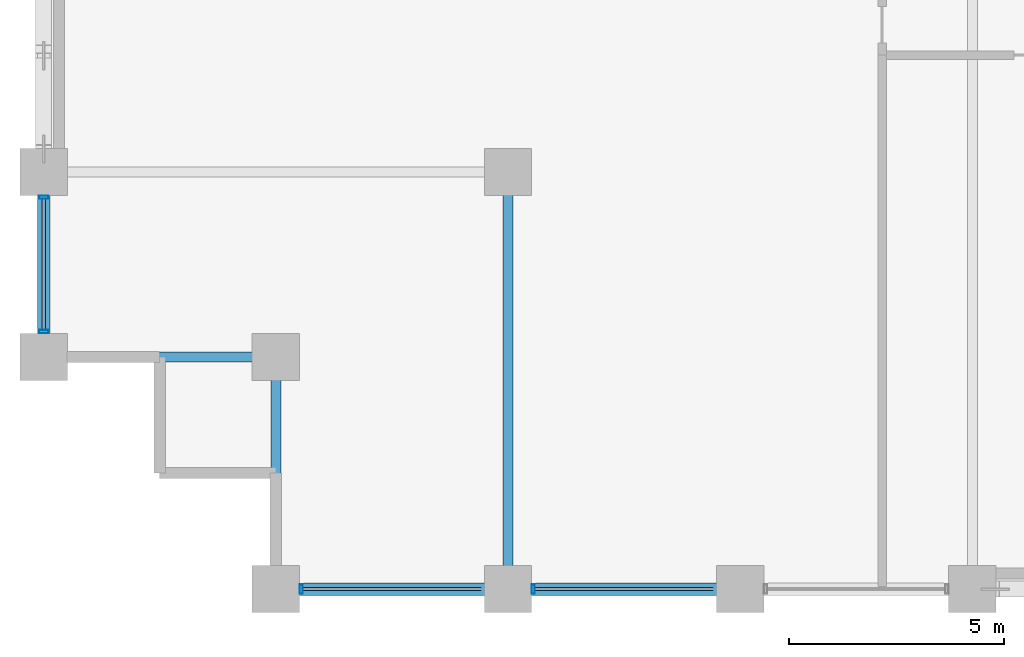
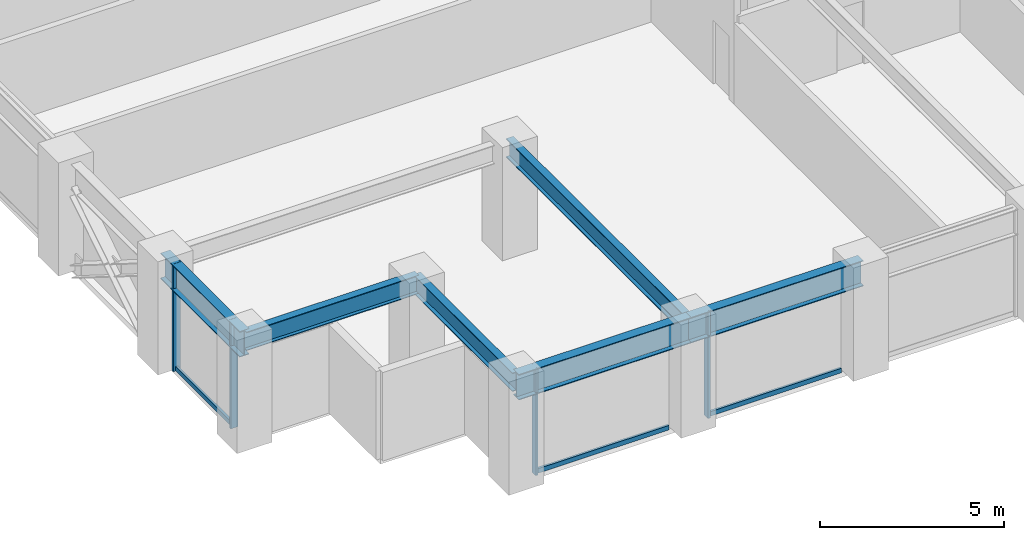
# One storey, part 2 of 25: 7 members, 6 beams, 2 elements without a shape of their own.
"""IFC4 building model written with IfcOpenShell, lengths in metres."""

from ifc_helpers import new_model, si_unit, direction, frame, origin, origin_2d, place, context, subcontext, project, spatial, hollow_rectangle, i_section, extrude, material, layer, layer_set, material_profile, profile_set, type_object, element, aggregate, save


model = new_model("IFC4")

# Units and contexts
model_context = context("Model", 3, precision=1e-05, world=origin(), true_north=direction((0.0, 1.0)))
body_context = subcontext(model_context, "Body", "Model", "MODEL_VIEW")
ifc_project = project(units=[si_unit("LENGTHUNIT", "METRE"), si_unit("AREAUNIT", "SQUARE_METRE"), si_unit("VOLUMEUNIT", "CUBIC_METRE"), si_unit("PLANEANGLEUNIT", "RADIAN"), si_unit("MASSUNIT", "GRAM", prefix="KILO")], contexts=[model_context])

# Site, building, storey
site_placement = place(None, origin())
site = spatial("IfcSite", under=ifc_project, at=site_placement, CompositionType="ELEMENT")
building_placement = place(site_placement, origin())
building = spatial("IfcBuilding", under=site, at=building_placement, Name="Surkhivell Harbour Commons", CompositionType="ELEMENT")
storey_placement = place(building_placement, frame((0.0, 0.0, 124.5)))
storey = spatial("IfcBuildingStorey", under=building, at=storey_placement, Name="L32", CompositionType="ELEMENT", Elevation=124.5)

# Beams
ifc_material_1 = material(Name="Steel S355", Category="steel")
ifc_material_profile_1 = material_profile(ifc_material_1, i_section(OverallWidth=0.22998046875, OverallDepth=0.616943359375, WebThickness=0.01318359375, FlangeThickness=0.022216796875, at=origin_2d()), Name="UB610x229x140")
ifc_profile_set_1 = profile_set([ifc_material_profile_1], Name="Steel S355")
beam_type_1 = type_object("IfcBeamType", Name="BM-GRD-610B", PredefinedType="BEAM", material=ifc_profile_set_1)
for number, where, z_axis, x_axis, name in (
    (1, (-32.39990234375, -20.5, 3.261474609375), (1.0, 0.0, 0.0), (0.0, 1.0, 0.0), "L32 Floor Girder (-32.4,-20.5)"),
    (2, (-27.0, -25.89990234375, 3.261474609375), (0.0, 1.0, 0.0), (-1.0, 0.0, 0.0), "L32 Floor Girder (-27.0,-25.9)"),
):
    element("IfcBeam", number, at=place(storey_placement, frame(where, z_axis=z_axis, x_axis=x_axis)), inside=storey, type_object=beam_type_1, Name=name, PredefinedType="BEAM", context=body_context, shape_type="SweptSolid", body=[
        extrude(i_section(OverallWidth=0.22998046875, OverallDepth=0.616943359375, WebThickness=0.01318359375, FlangeThickness=0.022216796875, at=origin_2d()), origin(), (0.0, 0.0, 1.0), 5.39990234375),
    ])
beam_1_placement = place(storey_placement, frame((-21.60009765625, -25.89990234375, 3.261474609375), z_axis=(0.0, 1.0, 0.0), x_axis=(-1.0, 0.0, 0.0)))
element("IfcBeam", 3, at=beam_1_placement, inside=storey, type_object=beam_type_1, Name="L32 Floor Girder (-21.6,-25.9)", PredefinedType="BEAM", context=body_context, shape_type="SweptSolid", body=[
    extrude(i_section(OverallWidth=0.22998046875, OverallDepth=0.616943359375, WebThickness=0.01318359375, FlangeThickness=0.022216796875, at=origin_2d()), origin(), (0.0, 0.0, 1.0), 9.699951171875),
])
ifc_material_2 = material(Name="Steel S460", Category="steel")
ifc_material_profile_2 = material_profile(ifc_material_2, i_section(OverallWidth=0.2939453125, OverallDepth=0.85107421875, WebThickness=0.01611328125, FlangeThickness=0.02685546875, at=origin_2d()), Name="UB838x292x226")
ifc_profile_set_2 = profile_set([ifc_material_profile_2], Name="Steel S460")
beam_type_2 = type_object("IfcBeamType", Name="BM-SPN-838", PredefinedType="SPANDREL", material=ifc_profile_set_2)
beam_2_placement = place(storey_placement, frame((-32.39990234375, -20.5, 3.14453125), z_axis=(0.0, 1.0, 0.0), x_axis=(-1.0, 0.0, 0.0)))
element("IfcBeam", 4, at=beam_2_placement, inside=storey, type_object=beam_type_2, Name="L32 Tube Spandrel (-32.4,-20.5)", PredefinedType="SPANDREL", context=body_context, shape_type="SweptSolid", body=[
    extrude(i_section(OverallWidth=0.2939453125, OverallDepth=0.85107421875, WebThickness=0.01611328125, FlangeThickness=0.02685546875, at=origin_2d()), origin(), (0.0, 0.0, 1.0), 4.300048828125),
])
beam_3_placement = place(storey_placement, frame((-27.0, -25.89990234375, 3.14453125), z_axis=(1.0, 0.0, 0.0), x_axis=(0.0, 1.0, 0.0)))
element("IfcBeam", 5, at=beam_3_placement, inside=storey, type_object=beam_type_2, Name="L32 Tube Spandrel (-27.0,-25.9)", PredefinedType="SPANDREL", context=body_context, shape_type="SweptSolid", body=[
    extrude(i_section(OverallWidth=0.2939453125, OverallDepth=0.85107421875, WebThickness=0.01611328125, FlangeThickness=0.02685546875, at=origin_2d()), origin(), (0.0, 0.0, 1.0), 5.39990234375),
])
beam_4_placement = place(storey_placement, frame((-21.60009765625, -25.89990234375, 3.14453125), z_axis=(1.0, 0.0, 0.0), x_axis=(0.0, 1.0, 0.0)))
element("IfcBeam", 6, at=beam_4_placement, inside=storey, type_object=beam_type_2, Name="L32 Tube Spandrel (-21.6,-25.9)", PredefinedType="SPANDREL", context=body_context, shape_type="SweptSolid", body=[
    extrude(i_section(OverallWidth=0.2939453125, OverallDepth=0.85107421875, WebThickness=0.01611328125, FlangeThickness=0.02685546875, at=origin_2d()), origin(), (0.0, 0.0, 1.0), 5.400146484375),
])

# Curtain wall, members
ifc_material_3 = material(Name="Anodised pale-metal aluminium and insulated glazing", Category="aluminium")
ifc_layer = layer(ifc_material_3, 0.205078125)
ifc_layer_set = layer_set([ifc_layer], Name="Anodised pale-metal aluminium and insulated glazing")
curtain_wall_type = type_object("IfcCurtainWallType", Name="CW-SYS-Z2", PredefinedType="NOTDEFINED", material=ifc_layer_set)
curtain_wall_1_placement = place(storey_placement, origin())
curtain_wall_1 = element("IfcCurtainWall", 7, at=curtain_wall_1_placement, inside=storey, type_object=curtain_wall_type, Name="L32 Curtain Wall CW-L32-E00S1", PredefinedType="NOTDEFINED")
ifc_material_4 = material(Name="Anodised pale-metal aluminium alloy 6063-T6", Category="aluminium")
ifc_material_profile_3 = material_profile(ifc_material_4, hollow_rectangle(XDim=0.074951171875, YDim=0.219970703125, WallThickness=0.00390625, at=origin_2d()), Name="ALU-MULL-75x220")
ifc_profile_set_3 = profile_set([ifc_material_profile_3], Name="Anodised pale-metal aluminium alloy 6063-T6")
member_type_1 = type_object("IfcMemberType", Name="CWM-220", PredefinedType="MULLION", material=ifc_profile_set_3)
member_1_placement = place(storey_placement, frame((-26.410400390625, -25.89990234375, 0.0), z_axis=(0.0, 0.0, 1.0), x_axis=(1.0, 0.0, 0.0)))
member_1 = element("IfcMember", 8, at=member_1_placement, type_object=member_type_1, Name="CW-Z2 mullion 1", PredefinedType="MULLION", context=body_context, shape_type="SweptSolid", body=[
    extrude(hollow_rectangle(XDim=0.074951171875, YDim=0.219970703125, WallThickness=0.00390625, at=origin_2d()), origin(), (0.0, 0.0, 1.0), 3.570068359375),
])
member_2_placement = place(storey_placement, frame((-21.010498046875, -25.89990234375, 0.0), z_axis=(0.0, 0.0, 1.0), x_axis=(1.0, 0.0, 0.0)))
member_2 = element("IfcMember", 9, at=member_2_placement, type_object=member_type_1, Name="CW-Z2 mullion 2", PredefinedType="MULLION", context=body_context, shape_type="SweptSolid", body=[
    extrude(hollow_rectangle(XDim=0.074951171875, YDim=0.219970703125, WallThickness=0.00390625, at=origin_2d()), origin(), (0.0, 0.0, 1.0), 3.570068359375),
])

curtain_wall_2_placement = place(storey_placement, origin())
curtain_wall_2 = element("IfcCurtainWall", 10, at=curtain_wall_2_placement, inside=storey, type_object=curtain_wall_type, Name="L32 Curtain Wall CW-L32-E12S2", PredefinedType="NOTDEFINED")
member_3_placement = place(storey_placement, frame((-32.39990234375, -16.78955078125, 0.0), z_axis=(0.0, 0.0, 1.0), x_axis=(0.0, -1.0, 0.0)))
member_3 = element("IfcMember", 11, at=member_3_placement, type_object=member_type_1, Name="CW-Z2 mullion 1", PredefinedType="MULLION", context=body_context, shape_type="SweptSolid", body=[
    extrude(hollow_rectangle(XDim=0.074951171875, YDim=0.219970703125, WallThickness=0.00390625, at=origin_2d()), origin(), (0.0, 0.0, 1.0), 3.570068359375),
])
member_4_placement = place(storey_placement, frame((-32.39990234375, -19.910400390625, 0.0), z_axis=(0.0, 0.0, 1.0), x_axis=(0.0, -1.0, 0.0)))
member_4 = element("IfcMember", 12, at=member_4_placement, type_object=member_type_1, Name="CW-Z2 mullion 2", PredefinedType="MULLION", context=body_context, shape_type="SweptSolid", body=[
    extrude(hollow_rectangle(XDim=0.074951171875, YDim=0.219970703125, WallThickness=0.00390625, at=origin_2d()), origin(), (0.0, 0.0, 1.0), 3.570068359375),
])

# Member
ifc_material_profile_4 = material_profile(ifc_material_4, hollow_rectangle(XDim=0.074951171875, YDim=0.14990234375, WallThickness=0.00341796875, at=origin_2d()), Name="ALU-TRAN-75x150")
ifc_profile_set_4 = profile_set([ifc_material_profile_4], Name="Anodised pale-metal aluminium alloy 6063-T6")
member_type_2 = type_object("IfcMemberType", Name="CWT-150", PredefinedType="USERDEFINED", material=ifc_profile_set_4)
member_5_placement = place(storey_placement, frame((-26.373046875, -25.89990234375, 0.074951171875), z_axis=(1.0, 0.0, 0.0), x_axis=(0.0, 1.0, 0.0)))
member_5 = element("IfcMember", 13, at=member_5_placement, type_object=member_type_2, Name="CW-Z2 transom 1.1", ObjectType="TRANSOM", PredefinedType="USERDEFINED", context=body_context, shape_type="SweptSolid", body=[
    extrude(hollow_rectangle(XDim=0.074951171875, YDim=0.14990234375, WallThickness=0.00341796875, at=origin_2d()), origin(), (0.0, 0.0, 1.0), 4.14599609375),
])

member_6_placement = place(storey_placement, frame((-20.972900390625, -25.89990234375, 0.074951171875), z_axis=(1.0, 0.0, 0.0), x_axis=(0.0, 1.0, 0.0)))
member_6 = element("IfcMember", 14, at=member_6_placement, type_object=member_type_2, Name="CW-Z2 transom 2.1", ObjectType="TRANSOM", PredefinedType="USERDEFINED", context=body_context, shape_type="SweptSolid", body=[
    extrude(hollow_rectangle(XDim=0.074951171875, YDim=0.14990234375, WallThickness=0.00341796875, at=origin_2d()), origin(), (0.0, 0.0, 1.0), 4.14599609375),
])

aggregate(curtain_wall_1, [member_1, member_5, member_2, member_6])

member_7_placement = place(storey_placement, frame((-32.39990234375, -16.826904296875, 0.074951171875), z_axis=(0.0, -1.0, 0.0), x_axis=(1.0, 0.0, 0.0)))
member_7 = element("IfcMember", 15, at=member_7_placement, type_object=member_type_2, Name="CW-Z2 transom 1.1", ObjectType="TRANSOM", PredefinedType="USERDEFINED", context=body_context, shape_type="SweptSolid", body=[
    extrude(hollow_rectangle(XDim=0.074951171875, YDim=0.14990234375, WallThickness=0.00341796875, at=origin_2d()), origin(), (0.0, 0.0, 1.0), 3.046142578125),
])

aggregate(curtain_wall_2, [member_3, member_4, member_7])

save(model, "model.ifc")
